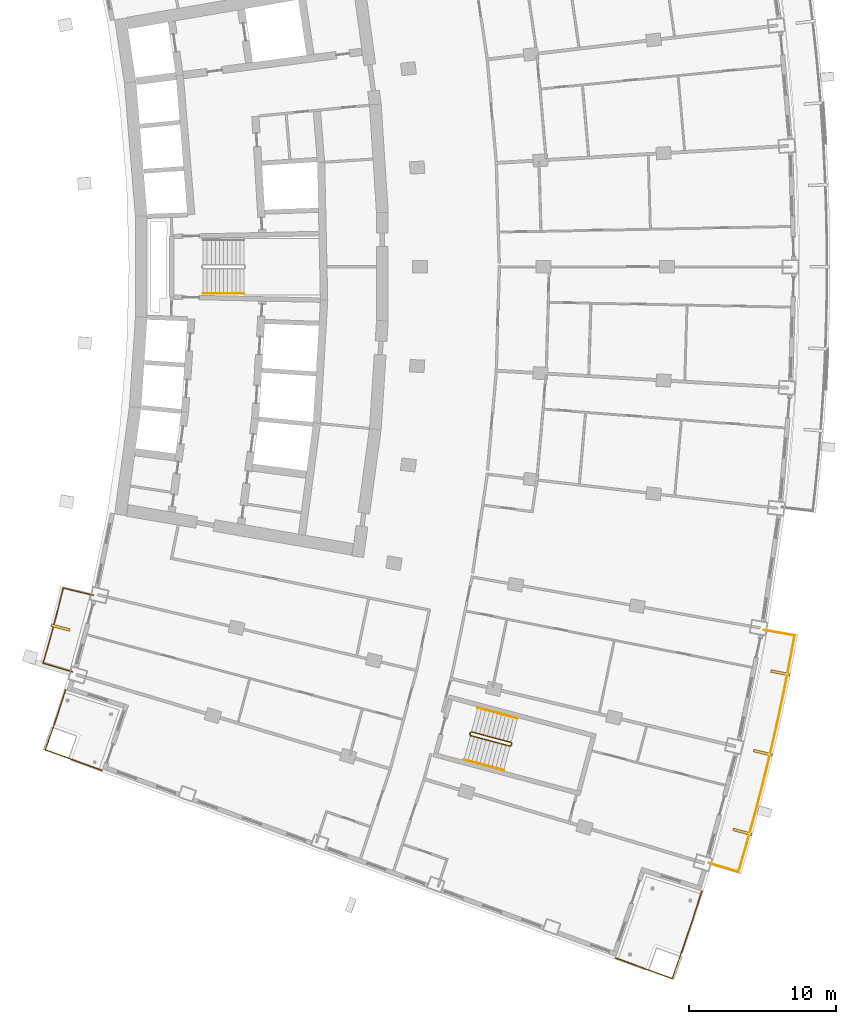
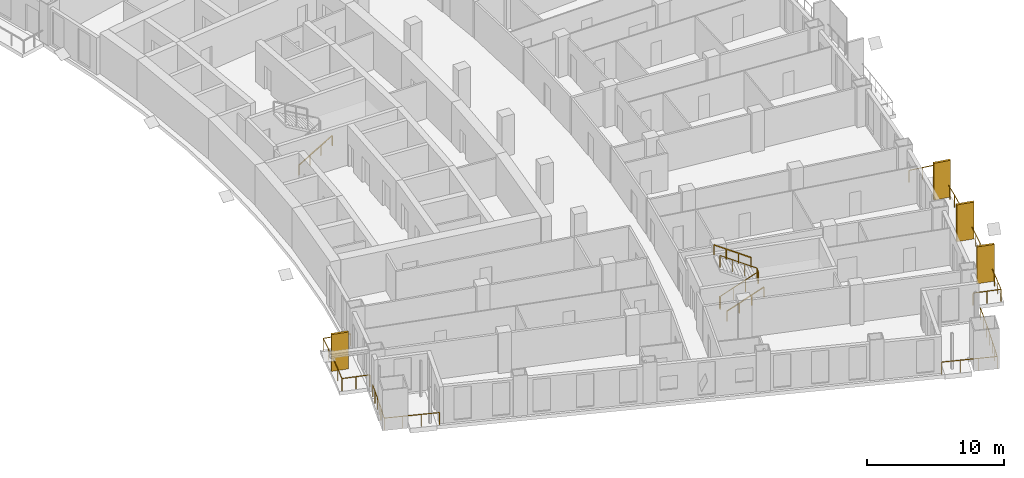
# One storey, part 23 of 25: 8 railings, 4 shading devices.
"""IFC4 building model written with IfcOpenShell, lengths in metres."""

import ifcopenshell
import ifcopenshell.guid

model = None  # the IFC model being written
_history = None  # IfcOwnerHistory: only IFC2X3 demands one
_inside = {}  # id of a spatial element -> (the spatial element, [elements in it])
_under = {}  # id of a project, library or spatial element -> (it, [spatial elements below it])
_declared = {}  # id of a project -> (the project, [libraries it declares])
_typed = {}  # id of a type object -> (the type object, [elements of that type])
_made_of = {}  # id of a material, layer set ... -> (it, [elements and type objects made of it])


def new_model(schema):
    """Start an empty IFC model of exactly this schema.

    Asked for "IFC4X3", IfcOpenShell would pick the latest addendum, in which some entities
    have other attributes; the version numbers below select the first issue.
    IFC2X3 requires an IfcOwnerHistory on every rooted entity: one is made here for all.
    """
    global model, _history
    if schema == "IFC4X3":
        model = ifcopenshell.file(schema_version=(4, 3, 0, 0))
    else:
        model = ifcopenshell.file(schema=schema)
    _inside.clear()
    _under.clear()
    _declared.clear()
    _typed.clear()
    _made_of.clear()
    _history = None
    if model.schema == "IFC2X3":
        org = make("IfcOrganization", Name="unknown")
        user = make(
            "IfcPersonAndOrganization",
            ThePerson=make("IfcPerson", FamilyName="unknown"),
            TheOrganization=org,
        )
        app = make(
            "IfcApplication",
            ApplicationDeveloper=org,
            Version="unknown",
            ApplicationFullName="unknown",
            ApplicationIdentifier="unknown",
        )
        _history = make(
            "IfcOwnerHistory",
            OwningUser=user,
            OwningApplication=app,
            ChangeAction="ADDED",
            CreationDate=0,
        )
    return model


def make(cls, **values):
    """One entity of the class cls with the attributes given. An attribute that is None is left unset."""
    return model.create_entity(
        cls, **{name: value for name, value in values.items() if value is not None}
    )


def rooted(cls, **values):
    """An entity with a GlobalId (a new one), such as an element, a storey or a relation."""
    return make(cls, GlobalId=ifcopenshell.guid.new(), OwnerHistory=_history, **values)


def si_unit(unit_type, name, prefix=None):
    """IfcSIUnit, for example si_unit("LENGTHUNIT", "METRE", prefix="MILLI")."""
    return make("IfcSIUnit", UnitType=unit_type, Prefix=prefix, Name=name)


def assignment(units):
    """IfcUnitAssignment: the units of a project."""
    return None if units is None else make("IfcUnitAssignment", Units=units)


def point(xyz):
    """IfcCartesianPoint."""
    return None if xyz is None else make("IfcCartesianPoint", Coordinates=xyz)


def direction(xyz):
    """IfcDirection."""
    return None if xyz is None else make("IfcDirection", DirectionRatios=xyz)


def frame(location, z_axis=None, x_axis=None):
    """IfcAxis2Placement3D, a coordinate frame: its origin and axes. An axis left out is left unset."""
    return make(
        "IfcAxis2Placement3D",
        Location=point(location),
        Axis=direction(z_axis),
        RefDirection=direction(x_axis),
    )


def frame_2d(location, x_axis=None):
    """IfcAxis2Placement2D, a coordinate frame in the plane: its origin and x axis."""
    return make(
        "IfcAxis2Placement2D", Location=point(location), RefDirection=direction(x_axis)
    )


def origin():
    """The frame at (0, 0, 0) with its axes left unset."""
    return frame((0.0, 0.0, 0.0))


def origin_with_axes():
    """The frame at (0, 0, 0) with the z axis (0, 0, 1) and the x axis (1, 0, 0) written out."""
    return frame((0.0, 0.0, 0.0), z_axis=(0.0, 0.0, 1.0), x_axis=(1.0, 0.0, 0.0))


def origin_2d():
    """The frame at (0, 0) in the plane with its x axis left unset."""
    return frame_2d((0.0, 0.0))


def place(relative_to, where):
    """IfcLocalPlacement: puts the frame where relative to a parent placement (None: the world)."""
    return make(
        "IfcLocalPlacement", PlacementRelTo=relative_to, RelativePlacement=where
    )


def context(
    kind, dimensions, precision=None, world=None, true_north=None, identifier=None
):
    """IfcGeometricRepresentationContext, for example the 3D "Model" context."""
    return make(
        "IfcGeometricRepresentationContext",
        ContextIdentifier=identifier,
        ContextType=kind,
        CoordinateSpaceDimension=dimensions,
        Precision=precision,
        WorldCoordinateSystem=world,
        TrueNorth=true_north,
    )


def subcontext(parent, identifier, kind, view, scale=None):
    """IfcGeometricRepresentationSubContext, for example "Body" below "Model"."""
    return make(
        "IfcGeometricRepresentationSubContext",
        ContextIdentifier=identifier,
        ContextType=kind,
        ParentContext=parent,
        TargetScale=scale,
        TargetView=view,
    )


def project(units=None, contexts=None):
    """IfcProject with its units and contexts."""
    return rooted(
        "IfcProject",
        Name="project",
        RepresentationContexts=contexts,
        UnitsInContext=assignment(units),
    )


def spatial(cls, under=None, at=None, **own):
    """A site, building, storey or space (cls), placed at a placement, below another one or the project."""
    s = rooted(cls, ObjectPlacement=at, **own)
    if under is not None:
        _under.setdefault(under.id(), (under, []))[1].append(s)
    return s


def profile(cls, at=None, kind="AREA", **sizes):
    """A parametric profile (cls). Its sizes go by their IFC names, for example OverallWidth=200.0."""
    return make(cls, ProfileType=kind, Position=at, **sizes)


def rectangle(**sizes):
    """IfcRectangleProfileDef."""
    return profile("IfcRectangleProfileDef", **sizes)


def extrude(swept, where, along, depth):
    """IfcExtrudedAreaSolid: the profile swept, set in the frame where, extruded along a direction by depth."""
    return make(
        "IfcExtrudedAreaSolid",
        SweptArea=swept,
        Position=where,
        ExtrudedDirection=direction(along),
        Depth=depth,
    )


def shape(context_of_items, identifier, shape_type, items):
    """IfcShapeRepresentation: the items that make up one representation, for example the "Body"."""
    return make(
        "IfcShapeRepresentation",
        ContextOfItems=context_of_items,
        RepresentationIdentifier=identifier,
        RepresentationType=shape_type,
        Items=items,
    )


def material(Name=None, Category=None):
    """IfcMaterial."""
    return make("IfcMaterial", Name=Name, Category=Category)


def layer(
    of_material, thickness, ventilated=None, Name=None, Category=None, Priority=None
):
    """IfcMaterialLayer: one layer of a wall or slab, of a material (None: an air gap)."""
    return make(
        "IfcMaterialLayer",
        Material=of_material,
        LayerThickness=thickness,
        IsVentilated=ventilated,
        Name=Name,
        Category=Category,
        Priority=Priority,
    )


def layer_set(layers, Name=None):
    """IfcMaterialLayerSet."""
    return make("IfcMaterialLayerSet", MaterialLayers=layers, LayerSetName=Name)


def made_of(thing, what):
    """Note that an element or type object is made of a material, layer set ...; save() writes the relation."""
    if what is not None:
        _made_of.setdefault(what.id(), (what, []))[1].append(thing)
    return thing


def type_object(cls, material=None, **own):
    """A type object (cls), such as IfcWallType, which elements share."""
    return made_of(rooted(cls, **own), material)


def element(
    cls,
    number,
    at=None,
    inside=None,
    cuts=None,
    type_object=None,
    material=None,
    context=None,
    identifier="Body",
    shape_type=None,
    held_by="IfcProductDefinitionShape",
    body=None,
    shapes=None,
    **own,
):
    """One element of the class cls, such as IfcWall. Its Tag is "e" and its number.

    at: its placement. inside: the storey or other place that contains it. cuts: it is an
    opening in that element (IfcRelVoidsElement). A single representation is given by context,
    identifier, shape_type and body (its items); several are given by shapes. held_by: the class
    of the entity that holds the representations. save() writes the other relations.
    """
    e = rooted(cls, Tag="e%d" % number, ObjectPlacement=at, **own)
    if body is not None:
        shapes = [shape(context, identifier, shape_type, body)]
    if shapes is not None:
        e.Representation = make(held_by, Representations=shapes)
    if inside is not None:
        _inside.setdefault(inside.id(), (inside, []))[1].append(e)
    if cuts is not None:
        rooted(
            "IfcRelVoidsElement", RelatingBuildingElement=cuts, RelatedOpeningElement=e
        )
    if type_object is not None:
        _typed.setdefault(type_object.id(), (type_object, []))[1].append(e)
    return made_of(e, material)


def aggregate(whole, parts):
    """IfcRelAggregates: a whole, such as a stair, and the parts it consists of."""
    return rooted("IfcRelAggregates", RelatingObject=whole, RelatedObjects=parts)


def save(model, path):
    """Write the relations noted so far, then the file.

    IfcRelAggregates (storeys below a building ...), IfcRelContainedInSpatialStructure (elements
    in a storey), IfcRelDefinesByType, IfcRelAssociatesMaterial and IfcRelDeclares: one each for
    every whole, place, type object, material and project.
    """
    for whole, parts in _under.values():
        aggregate(whole, parts)
    for where, things in _inside.values():
        rooted(
            "IfcRelContainedInSpatialStructure",
            RelatedElements=things,
            RelatingStructure=where,
        )
    for kind, things in _typed.values():
        rooted("IfcRelDefinesByType", RelatedObjects=things, RelatingType=kind)
    for what, things in _made_of.values():
        rooted("IfcRelAssociatesMaterial", RelatedObjects=things, RelatingMaterial=what)
    for by, libraries in _declared.values():
        rooted("IfcRelDeclares", RelatingContext=by, RelatedDefinitions=libraries)
    model.write(path)


model = new_model("IFC4")

# Units and contexts
model_context = context("Model", 3, precision=1e-05, world=origin(), true_north=direction((0.0, 1.0)))
body_context = subcontext(model_context, "Body", "Model", "MODEL_VIEW")
ifc_project = project(units=[si_unit("LENGTHUNIT", "METRE"), si_unit("AREAUNIT", "SQUARE_METRE"), si_unit("VOLUMEUNIT", "CUBIC_METRE"), si_unit("PLANEANGLEUNIT", "RADIAN"), si_unit("MASSUNIT", "GRAM", prefix="KILO")], contexts=[model_context])

# Site, building, storey
site_placement = place(None, origin())
site = spatial("IfcSite", under=ifc_project, at=site_placement, CompositionType="ELEMENT")
building_placement = place(site_placement, origin())
building = spatial("IfcBuilding", under=site, at=building_placement, Name="Alderwake Tower", CompositionType="ELEMENT")
storey_placement = place(building_placement, frame((0.0, 0.0, 111.199951171875)))
storey = spatial("IfcBuildingStorey", under=building, at=storey_placement, Name="L27", CompositionType="ELEMENT", Elevation=111.199951171875)

# Railings
ifc_material_1 = material(Name="Stainless steel 316 rail and posts", Category="steel")
railing_type_1 = type_object("IfcRailingType", Name="Balcony guard 1100", PredefinedType="GUARDRAIL", material=ifc_material_1)
railing_1_placement = place(storey_placement, frame((55.456298828125, 20.43505859375, 0.0)))
element("IfcRailing", 1, at=railing_1_placement, inside=storey, type_object=railing_type_1, Name="Guard BF02", PredefinedType="GUARDRAIL", context=body_context, shape_type="SweptSolid", body=[
    extrude(rectangle(XDim=0.048095703125, YDim=0.048095703125, at=origin_2d()), frame((0.0, 0.0, 1.076171875), z_axis=(0.957954179098, -0.286921227429, 0.0), x_axis=(0.286921227429, 0.957954179098, 0.0)), (0.0, 0.0, 1.0), 2.10009765625),
    extrude(rectangle(XDim=0.048095703125, YDim=0.048095703125, at=origin_2d()), frame((2.01171875, -0.6025390625, 1.076171875), z_axis=(0.28031519248, 0.95990801271, 0.0), x_axis=(-0.95990801271, 0.28031519248, 0.0)), (0.0, 0.0, 1.0), 1.99267578125),
    extrude(rectangle(XDim=0.048095703125, YDim=0.048095703125, at=origin_2d()), frame((2.5703125, 1.310302734375, 1.076171875), z_axis=(0.266452319336, 0.963848100854, 0.0), x_axis=(-0.963848100854, 0.266452319336, 0.0)), (0.0, 0.0, 1.0), 2.0927734375),
    extrude(rectangle(XDim=0.048095703125, YDim=0.048095703125, at=origin_2d()), frame((3.1279296875, 3.327392578125, 1.076171875), z_axis=(0.252459890033, 0.967607360413, 0.0), x_axis=(-0.967607360413, 0.252459890033, 0.0)), (0.0, 0.0, 1.0), 2.0927734375),
    extrude(rectangle(XDim=0.048095703125, YDim=0.048095703125, at=origin_2d()), frame((3.65625, 5.352294921875, 1.076171875), z_axis=(0.238360646186, 0.971176710156, 0.0), x_axis=(-0.971176710156, 0.238360646186, 0.0)), (0.0, 0.0, 1.0), 2.092529296875),
    extrude(rectangle(XDim=0.048095703125, YDim=0.048095703125, at=origin_2d()), frame((4.155029296875, 7.384521484375, 1.076171875), z_axis=(0.224101157754, 0.974565888534, 0.0), x_axis=(-0.974565888534, 0.224101157754, 0.0)), (0.0, 0.0, 1.0), 2.0927734375),
    extrude(rectangle(XDim=0.048095703125, YDim=0.048095703125, at=origin_2d()), frame((4.6240234375, 9.424072265625, 1.076171875), z_axis=(0.209871658439, 0.977728943513, 0.0), x_axis=(-0.977728943513, 0.209871658439, 0.0)), (0.0, 0.0, 1.0), 2.0927734375),
    extrude(rectangle(XDim=0.048095703125, YDim=0.048095703125, at=origin_2d()), frame((5.063232421875, 11.47021484375, 1.076171875), z_axis=(0.195644970766, 0.980674790853, 0.0), x_axis=(-0.980674790853, 0.195644970766, 0.0)), (0.0, 0.0, 1.0), 2.0927734375),
    extrude(rectangle(XDim=0.048095703125, YDim=0.048095703125, at=origin_2d()), frame((5.47265625, 13.5224609375, 1.076171875), z_axis=(0.181580290722, 0.983376122357, 0.0), x_axis=(-0.983376122357, 0.181580290722, 0.0)), (0.0, 0.0, 1.0), 1.99267578125),
    extrude(rectangle(XDim=0.048095703125, YDim=0.048095703125, at=origin_2d()), frame((5.83447265625, 15.48193359375, 1.076171875), z_axis=(-0.984594547275, 0.174853016779, 0.0), x_axis=(-0.174853016779, -0.984594547275, 0.0)), (0.0, 0.0, 1.0), 2.10009765625),
    extrude(rectangle(XDim=0.0419921875, YDim=0.0419921875, at=origin_2d()), frame((0.0, 0.0, 0.0), z_axis=(0.0, 0.0, 1.0), x_axis=(0.957954179098, -0.286921227429, 0.0)), (0.0, 0.0, 1.0), 1.052001953125),
    extrude(rectangle(XDim=0.0419921875, YDim=0.0419921875, at=origin_2d()), frame((1.005859375, -0.30126953125, 0.0), z_axis=(0.0, 0.0, 1.0), x_axis=(0.957954179098, -0.286921227429, 0.0)), (0.0, 0.0, 1.0), 1.052001953125),
    extrude(rectangle(XDim=0.0419921875, YDim=0.0419921875, at=origin_2d()), frame((2.01171875, -0.6025390625, 0.0), z_axis=(0.0, 0.0, 1.0), x_axis=(0.28031519248, 0.95990801271, 0.0)), (0.0, 0.0, 1.0), 1.052001953125),
    extrude(rectangle(XDim=0.0419921875, YDim=0.0419921875, at=origin_2d()), frame((2.291015625, 0.35400390625, 0.0), z_axis=(0.0, 0.0, 1.0), x_axis=(0.28031519248, 0.95990801271, 0.0)), (0.0, 0.0, 1.0), 1.052001953125),
    extrude(rectangle(XDim=0.0419921875, YDim=0.0419921875, at=origin_2d()), frame((2.5703125, 1.310302734375, 0.0), z_axis=(0.0, 0.0, 1.0), x_axis=(0.266452319336, 0.963848100854, 0.0)), (0.0, 0.0, 1.0), 1.052001953125),
    extrude(rectangle(XDim=0.0419921875, YDim=0.0419921875, at=origin_2d()), frame((2.84912109375, 2.31884765625, 0.0), z_axis=(0.0, 0.0, 1.0), x_axis=(0.266452319336, 0.963848100854, 0.0)), (0.0, 0.0, 1.0), 1.052001953125),
    extrude(rectangle(XDim=0.0419921875, YDim=0.0419921875, at=origin_2d()), frame((3.1279296875, 3.327392578125, 0.0), z_axis=(0.0, 0.0, 1.0), x_axis=(0.252459890033, 0.967607360413, 0.0)), (0.0, 0.0, 1.0), 1.052001953125),
    extrude(rectangle(XDim=0.0419921875, YDim=0.0419921875, at=origin_2d()), frame((3.39208984375, 4.33984375, 0.0), z_axis=(0.0, 0.0, 1.0), x_axis=(0.252459890033, 0.967607360413, 0.0)), (0.0, 0.0, 1.0), 1.052001953125),
    extrude(rectangle(XDim=0.0419921875, YDim=0.0419921875, at=origin_2d()), frame((3.65625, 5.352294921875, 0.0), z_axis=(0.0, 0.0, 1.0), x_axis=(0.238360646186, 0.971176710156, 0.0)), (0.0, 0.0, 1.0), 1.052001953125),
    extrude(rectangle(XDim=0.0419921875, YDim=0.0419921875, at=origin_2d()), frame((3.90576171875, 6.368408203125, 0.0), z_axis=(0.0, 0.0, 1.0), x_axis=(0.238360646186, 0.971176710156, 0.0)), (0.0, 0.0, 1.0), 1.052001953125),
    extrude(rectangle(XDim=0.0419921875, YDim=0.0419921875, at=origin_2d()), frame((4.155029296875, 7.384521484375, 0.0), z_axis=(0.0, 0.0, 1.0), x_axis=(0.224101157754, 0.974565888534, 0.0)), (0.0, 0.0, 1.0), 1.052001953125),
    extrude(rectangle(XDim=0.0419921875, YDim=0.0419921875, at=origin_2d()), frame((4.3896484375, 8.404296875, 0.0), z_axis=(0.0, 0.0, 1.0), x_axis=(0.224101157754, 0.974565888534, 0.0)), (0.0, 0.0, 1.0), 1.052001953125),
    extrude(rectangle(XDim=0.0419921875, YDim=0.0419921875, at=origin_2d()), frame((4.6240234375, 9.424072265625, 0.0), z_axis=(0.0, 0.0, 1.0), x_axis=(0.209871658439, 0.977728943513, 0.0)), (0.0, 0.0, 1.0), 1.052001953125),
    extrude(rectangle(XDim=0.0419921875, YDim=0.0419921875, at=origin_2d()), frame((4.84375, 10.447265625, 0.0), z_axis=(0.0, 0.0, 1.0), x_axis=(0.209871658439, 0.977728943513, 0.0)), (0.0, 0.0, 1.0), 1.052001953125),
    extrude(rectangle(XDim=0.0419921875, YDim=0.0419921875, at=origin_2d()), frame((5.063232421875, 11.47021484375, 0.0), z_axis=(0.0, 0.0, 1.0), x_axis=(0.195644970766, 0.980674790853, 0.0)), (0.0, 0.0, 1.0), 1.052001953125),
    extrude(rectangle(XDim=0.0419921875, YDim=0.0419921875, at=origin_2d()), frame((5.26806640625, 12.496337890625, 0.0), z_axis=(0.0, 0.0, 1.0), x_axis=(0.195644970766, 0.980674790853, 0.0)), (0.0, 0.0, 1.0), 1.052001953125),
    extrude(rectangle(XDim=0.0419921875, YDim=0.0419921875, at=origin_2d()), frame((5.47265625, 13.5224609375, 0.0), z_axis=(0.0, 0.0, 1.0), x_axis=(0.181580290722, 0.983376122357, 0.0)), (0.0, 0.0, 1.0), 1.052001953125),
    extrude(rectangle(XDim=0.0419921875, YDim=0.0419921875, at=origin_2d()), frame((5.653564453125, 14.502197265625, 0.0), z_axis=(0.0, 0.0, 1.0), x_axis=(0.181580290722, 0.983376122357, 0.0)), (0.0, 0.0, 1.0), 1.052001953125),
    extrude(rectangle(XDim=0.0419921875, YDim=0.0419921875, at=origin_2d()), frame((5.83447265625, 15.48193359375, 0.0), z_axis=(0.0, 0.0, 1.0), x_axis=(-0.984594547275, 0.174853016779, 0.0)), (0.0, 0.0, 1.0), 1.052001953125),
    extrude(rectangle(XDim=0.0419921875, YDim=0.0419921875, at=origin_2d()), frame((4.80078125, 15.66552734375, 0.0), z_axis=(0.0, 0.0, 1.0), x_axis=(-0.984594547275, 0.174853016779, 0.0)), (0.0, 0.0, 1.0), 1.052001953125),
    extrude(rectangle(XDim=0.0419921875, YDim=0.0419921875, at=origin_2d()), frame((3.766845703125, 15.84912109375, 0.0), z_axis=(0.0, 0.0, 1.0), x_axis=(-0.984594547275, 0.174853016779, 0.0)), (0.0, 0.0, 1.0), 1.052001953125),
])
railing_2_placement = place(storey_placement, frame((12.16650390625, 33.435791015625, 0.0)))
element("IfcRailing", 2, at=railing_2_placement, inside=storey, type_object=railing_type_1, Name="Guard BR02", PredefinedType="GUARDRAIL", context=body_context, shape_type="SweptSolid", body=[
    extrude(rectangle(XDim=0.048095703125, YDim=0.048095703125, at=origin_2d()), frame((0.0, 0.0, 1.076171875), z_axis=(-0.958091458885, 0.286462486918, 0.0), x_axis=(-0.286462486918, -0.958091458885, 0.0)), (0.0, 0.0, 1.0), 2.099853515625),
    extrude(rectangle(XDim=0.048095703125, YDim=0.048095703125, at=origin_2d()), frame((-2.011962890625, 0.6015625, 1.076171875), z_axis=(0.279963157487, 0.960010744966, 0.0), x_axis=(-0.960010744966, 0.279963157487, 0.0)), (0.0, 0.0, 1.0), 1.272216796875),
    extrude(rectangle(XDim=0.048095703125, YDim=0.048095703125, at=origin_2d()), frame((-1.65576171875, 1.822998046875, 1.076171875), z_axis=(0.266487604617, 0.963838345671, 0.0), x_axis=(-0.963838345671, 0.266487604617, 0.0)), (0.0, 0.0, 1.0), 1.372314453125),
    extrude(rectangle(XDim=0.048095703125, YDim=0.048095703125, at=origin_2d()), frame((-1.2900390625, 3.145751953125, 1.076171875), z_axis=(0.252487086228, 0.967600264204, 0.0), x_axis=(-0.967600264204, 0.252487086228, 0.0)), (0.0, 0.0, 1.0), 1.3720703125),
    extrude(rectangle(XDim=0.048095703125, YDim=0.048095703125, at=origin_2d()), frame((-0.943603515625, 4.473388671875, 1.076171875), z_axis=(0.238877101641, 0.971049808358, 0.0), x_axis=(-0.971049808358, 0.238877101641, 0.0)), (0.0, 0.0, 1.0), 1.2724609375),
    extrude(rectangle(XDim=0.048095703125, YDim=0.048095703125, at=origin_2d()), frame((-0.6396484375, 5.708984375, 1.076171875), z_axis=(0.972646310656, -0.232291098337, 0.0), x_axis=(0.232291098337, 0.972646310656, 0.0)), (0.0, 0.0, 1.0), 2.099853515625),
    extrude(rectangle(XDim=0.0419921875, YDim=0.0419921875, at=origin_2d()), frame((0.0, 0.0, 0.0), z_axis=(0.0, 0.0, 1.0), x_axis=(-0.958091458885, 0.286462486918, 0.0)), (0.0, 0.0, 1.0), 1.052001953125),
    extrude(rectangle(XDim=0.0419921875, YDim=0.0419921875, at=origin_2d()), frame((-1.005859375, 0.30078125, 0.0), z_axis=(0.0, 0.0, 1.0), x_axis=(-0.958091458885, 0.286462486918, 0.0)), (0.0, 0.0, 1.0), 1.052001953125),
    extrude(rectangle(XDim=0.0419921875, YDim=0.0419921875, at=origin_2d()), frame((-2.011962890625, 0.6015625, 0.0), z_axis=(0.0, 0.0, 1.0), x_axis=(0.279963157487, 0.960010744966, 0.0)), (0.0, 0.0, 1.0), 1.052001953125),
    extrude(rectangle(XDim=0.0419921875, YDim=0.0419921875, at=origin_2d()), frame((-1.65576171875, 1.822998046875, 0.0), z_axis=(0.0, 0.0, 1.0), x_axis=(0.266487604617, 0.963838345671, 0.0)), (0.0, 0.0, 1.0), 1.052001953125),
    extrude(rectangle(XDim=0.0419921875, YDim=0.0419921875, at=origin_2d()), frame((-1.2900390625, 3.145751953125, 0.0), z_axis=(0.0, 0.0, 1.0), x_axis=(0.252487086228, 0.967600264204, 0.0)), (0.0, 0.0, 1.0), 1.052001953125),
    extrude(rectangle(XDim=0.0419921875, YDim=0.0419921875, at=origin_2d()), frame((-0.943603515625, 4.473388671875, 0.0), z_axis=(0.0, 0.0, 1.0), x_axis=(0.238877101641, 0.971049808358, 0.0)), (0.0, 0.0, 1.0), 1.052001953125),
    extrude(rectangle(XDim=0.0419921875, YDim=0.0419921875, at=origin_2d()), frame((-0.6396484375, 5.708984375, 0.0), z_axis=(0.0, 0.0, 1.0), x_axis=(0.972646310656, -0.232291098337, 0.0)), (0.0, 0.0, 1.0), 1.052001953125),
    extrude(rectangle(XDim=0.0419921875, YDim=0.0419921875, at=origin_2d()), frame((0.381591796875, 5.465087890625, 0.0), z_axis=(0.0, 0.0, 1.0), x_axis=(0.972646310656, -0.232291098337, 0.0)), (0.0, 0.0, 1.0), 1.052001953125),
    extrude(rectangle(XDim=0.0419921875, YDim=0.0419921875, at=origin_2d()), frame((1.40283203125, 5.22119140625, 0.0), z_axis=(0.0, 0.0, 1.0), x_axis=(0.972646310656, -0.232291098337, 0.0)), (0.0, 0.0, 1.0), 1.052001953125),
])
railing_3_placement = place(storey_placement, frame((54.976318359375, 18.530517578125, 0.0)))
element("IfcRailing", 3, at=railing_3_placement, inside=storey, type_object=railing_type_1, Name="Guard terrace FS", PredefinedType="GUARDRAIL", context=body_context, shape_type="SweptSolid", body=[
    extrude(rectangle(XDim=0.048095703125, YDim=0.048095703125, at=origin_2d()), frame((0.0, 0.0, 1.076171875), z_axis=(-0.307736999778, -0.951471459881, 0.0), x_axis=(0.951471459881, -0.307736999778, 0.0)), (0.0, 0.0, 1.0), 2.263427734375),
    extrude(rectangle(XDim=0.048095703125, YDim=0.048095703125, at=origin_2d()), frame((-0.696533203125, -2.153564453125, 1.076171875), z_axis=(-0.322290868596, -0.946640690029, 0.0), x_axis=(0.946640690029, -0.322290868596, 0.0)), (0.0, 0.0, 1.0), 2.0634765625),
    extrude(rectangle(XDim=0.048095703125, YDim=0.048095703125, at=origin_2d()), frame((-1.361572265625, -4.10693359375, 1.076171875), z_axis=(-0.335706204484, -0.941966742656, 0.0), x_axis=(0.941966742656, -0.335706204484, 0.0)), (0.0, 0.0, 1.0), 1.963623046875),
    extrude(rectangle(XDim=0.048095703125, YDim=0.048095703125, at=origin_2d()), frame((-2.020751953125, -5.95654296875, 1.076171875), z_axis=(-0.939624669849, 0.342206779317, 0.0), x_axis=(-0.342206779317, -0.939624669849, 0.0)), (0.0, 0.0, 1.0), 4.10009765625),
    extrude(rectangle(XDim=0.0419921875, YDim=0.0419921875, at=origin_2d()), frame((0.0, 0.0, 0.0), z_axis=(0.0, 0.0, 1.0), x_axis=(-0.307736999778, -0.951471459881, 0.0)), (0.0, 0.0, 1.0), 1.052001953125),
    extrude(rectangle(XDim=0.0419921875, YDim=0.0419921875, at=origin_2d()), frame((-0.34814453125, -1.07666015625, 0.0), z_axis=(0.0, 0.0, 1.0), x_axis=(-0.307736999778, -0.951471459881, 0.0)), (0.0, 0.0, 1.0), 1.052001953125),
    extrude(rectangle(XDim=0.0419921875, YDim=0.0419921875, at=origin_2d()), frame((-0.696533203125, -2.153564453125, 0.0), z_axis=(0.0, 0.0, 1.0), x_axis=(-0.322290868596, -0.946640690029, 0.0)), (0.0, 0.0, 1.0), 1.052001953125),
    extrude(rectangle(XDim=0.0419921875, YDim=0.0419921875, at=origin_2d()), frame((-1.029052734375, -3.13037109375, 0.0), z_axis=(0.0, 0.0, 1.0), x_axis=(-0.322290868596, -0.946640690029, 0.0)), (0.0, 0.0, 1.0), 1.052001953125),
    extrude(rectangle(XDim=0.0419921875, YDim=0.0419921875, at=origin_2d()), frame((-1.361572265625, -4.10693359375, 0.0), z_axis=(0.0, 0.0, 1.0), x_axis=(-0.335706204484, -0.941966742656, 0.0)), (0.0, 0.0, 1.0), 1.052001953125),
    extrude(rectangle(XDim=0.0419921875, YDim=0.0419921875, at=origin_2d()), frame((-1.691162109375, -5.03173828125, 0.0), z_axis=(0.0, 0.0, 1.0), x_axis=(-0.335706204484, -0.941966742656, 0.0)), (0.0, 0.0, 1.0), 1.052001953125),
    extrude(rectangle(XDim=0.0419921875, YDim=0.0419921875, at=origin_2d()), frame((-2.020751953125, -5.95654296875, 0.0), z_axis=(0.0, 0.0, 1.0), x_axis=(-0.939624669849, 0.342206779317, 0.0)), (0.0, 0.0, 1.0), 1.052001953125),
    extrude(rectangle(XDim=0.0419921875, YDim=0.0419921875, at=origin_2d()), frame((-3.304931640625, -5.48876953125, 0.0), z_axis=(0.0, 0.0, 1.0), x_axis=(-0.939624669849, 0.342206779317, 0.0)), (0.0, 0.0, 1.0), 1.052001953125),
    extrude(rectangle(XDim=0.0419921875, YDim=0.0419921875, at=origin_2d()), frame((-4.589111328125, -5.021240234375, 0.0), z_axis=(0.0, 0.0, 1.0), x_axis=(-0.939624669849, 0.342206779317, 0.0)), (0.0, 0.0, 1.0), 1.052001953125),
    extrude(rectangle(XDim=0.0419921875, YDim=0.0419921875, at=origin_2d()), frame((-5.873291015625, -4.553466796875, 0.0), z_axis=(0.0, 0.0, 1.0), x_axis=(-0.939624669849, 0.342206779317, 0.0)), (0.0, 0.0, 1.0), 1.052001953125),
])
railing_4_placement = place(storey_placement, frame((11.688720703125, 32.218017578125, 0.0)))
element("IfcRailing", 4, at=railing_4_placement, inside=storey, type_object=railing_type_1, Name="Guard terrace RS", PredefinedType="GUARDRAIL", context=body_context, shape_type="SweptSolid", body=[
    extrude(rectangle(XDim=0.048095703125, YDim=0.048095703125, at=origin_2d()), frame((0.0, 0.0, 1.076171875), z_axis=(-0.307479326145, -0.951554761426, 0.0), x_axis=(0.951554761426, -0.307479326145, 0.0)), (0.0, 0.0, 1.0), 1.6015625),
    extrude(rectangle(XDim=0.048095703125, YDim=0.048095703125, at=origin_2d()), frame((-0.492431640625, -1.52392578125, 1.076171875), z_axis=(-0.322283727344, -0.946643121292, 0.0), x_axis=(0.946643121292, -0.322283727344, 0.0)), (0.0, 0.0, 1.0), 1.4013671875),
    extrude(rectangle(XDim=0.048095703125, YDim=0.048095703125, at=origin_2d()), frame((-0.944091796875, -2.8505859375, 1.076171875), z_axis=(-0.335468607403, -0.942051385778, 0.0), x_axis=(0.942051385778, -0.335468607403, 0.0)), (0.0, 0.0, 1.0), 1.30126953125),
    extrude(rectangle(XDim=0.048095703125, YDim=0.048095703125, at=origin_2d()), frame((-1.380615234375, -4.076416015625, 1.076171875), z_axis=(0.939708203232, -0.341977327873, 0.0), x_axis=(0.341977327873, 0.939708203232, 0.0)), (0.0, 0.0, 1.0), 4.10009765625),
    extrude(rectangle(XDim=0.0419921875, YDim=0.0419921875, at=origin_2d()), frame((0.0, 0.0, 0.0), z_axis=(0.0, 0.0, 1.0), x_axis=(-0.307479326145, -0.951554761426, 0.0)), (0.0, 0.0, 1.0), 1.052001953125),
    extrude(rectangle(XDim=0.0419921875, YDim=0.0419921875, at=origin_2d()), frame((-0.24609375, -0.761962890625, 0.0), z_axis=(0.0, 0.0, 1.0), x_axis=(-0.307479326145, -0.951554761426, 0.0)), (0.0, 0.0, 1.0), 1.052001953125),
    extrude(rectangle(XDim=0.0419921875, YDim=0.0419921875, at=origin_2d()), frame((-0.492431640625, -1.52392578125, 0.0), z_axis=(0.0, 0.0, 1.0), x_axis=(-0.322283727344, -0.946643121292, 0.0)), (0.0, 0.0, 1.0), 1.052001953125),
    extrude(rectangle(XDim=0.0419921875, YDim=0.0419921875, at=origin_2d()), frame((-0.71826171875, -2.187255859375, 0.0), z_axis=(0.0, 0.0, 1.0), x_axis=(-0.322283727344, -0.946643121292, 0.0)), (0.0, 0.0, 1.0), 1.052001953125),
    extrude(rectangle(XDim=0.0419921875, YDim=0.0419921875, at=origin_2d()), frame((-0.944091796875, -2.8505859375, 0.0), z_axis=(0.0, 0.0, 1.0), x_axis=(-0.335468607403, -0.942051385778, 0.0)), (0.0, 0.0, 1.0), 1.052001953125),
    extrude(rectangle(XDim=0.0419921875, YDim=0.0419921875, at=origin_2d()), frame((-1.380615234375, -4.076416015625, 0.0), z_axis=(0.0, 0.0, 1.0), x_axis=(0.939708203232, -0.341977327873, 0.0)), (0.0, 0.0, 1.0), 1.052001953125),
    extrude(rectangle(XDim=0.0419921875, YDim=0.0419921875, at=origin_2d()), frame((-0.096435546875, -4.543701171875, 0.0), z_axis=(0.0, 0.0, 1.0), x_axis=(0.939708203232, -0.341977327873, 0.0)), (0.0, 0.0, 1.0), 1.052001953125),
    extrude(rectangle(XDim=0.0419921875, YDim=0.0419921875, at=origin_2d()), frame((1.18798828125, -5.01123046875, 0.0), z_axis=(0.0, 0.0, 1.0), x_axis=(0.939708203232, -0.341977327873, 0.0)), (0.0, 0.0, 1.0), 1.052001953125),
    extrude(rectangle(XDim=0.0419921875, YDim=0.0419921875, at=origin_2d()), frame((2.47216796875, -5.478515625, 0.0), z_axis=(0.0, 0.0, 1.0), x_axis=(0.939708203232, -0.341977327873, 0.0)), (0.0, 0.0, 1.0), 1.052001953125),
])

# Shading devices
ifc_material_2 = material(Name="Bronze anodised aluminium", Category="aluminium")
ifc_layer = layer(ifc_material_2, 0.179931640625)
ifc_layer_set = layer_set([ifc_layer], Name="Facade fin 1300")
shading_device_type = type_object("IfcShadingDeviceType", Name="Facade fin 1300", PredefinedType="USERDEFINED", material=ifc_layer_set)
for number, where, z_axis, x_axis, name in (
    (5, (57.735107421875, 22.55419921875, 0.0), (0.0, 0.0, 1.0), (0.96318180783, -0.268850897459, 0.0), "Fin"),
    (6, (59.1259765625, 27.93994140625, 0.0), (0.0, 0.0, 1.0), (0.972908790564, -0.231189284448, 0.0), "Fin"),
    (7, (60.306396484375, 33.37548828125, 0.0), (0.0, 0.0, 1.0), (0.981163751315, -0.193177879441, 0.0), "Fin"),
    (8, (11.359375, 36.45166015625, 0.0), (0.0, 0.0, 1.0), (0.965744448231, -0.259495010957, 0.0), "Fin"),
):
    element("IfcShadingDevice", number, at=place(storey_placement, frame(where, z_axis=z_axis, x_axis=x_axis)), inside=storey, type_object=shading_device_type, Name=name, ObjectType="FIN", PredefinedType="USERDEFINED", context=body_context, shape_type="SweptSolid", body=[
        extrude(rectangle(XDim=1.300048828125, YDim=0.179931640625, at=origin_2d()), origin(), (0.0, 0.0, 1.0), 3.280029296875),
    ])

# Railings
ifc_material_3 = material(Name="Stainless steel guard", Category="steel")
railing_type_2 = type_object("IfcRailingType", Name="Stair guard 1100", PredefinedType="GUARDRAIL", material=ifc_material_3)
railing_5_placement = place(storey_placement, frame((39.1943359375, 29.17431640625, 0.0)))
element("IfcRailing", 9, at=railing_5_placement, inside=storey, type_object=railing_type_2, Name="L27 ST-C stair guard 1", PredefinedType="GUARDRAIL", context=body_context, shape_type="SweptSolid", body=[
    extrude(rectangle(XDim=0.048095703125, YDim=0.048095703125, at=origin_2d()), frame((0.0, 0.0, 1.076171875), z_axis=(0.257459803502, 0.966289009345, 0.0), x_axis=(-0.966289009345, 0.257459803502, 0.0)), (0.0, 0.0, 1.0), 0.14990234375),
    extrude(rectangle(XDim=0.048095703125, YDim=0.048095703125, at=origin_2d()), frame((0.03857421875, 0.144775390625, 1.076171875), z_axis=(-0.012062893862, -0.783160186125, 0.621702991355), x_axis=(0.999881397308, -0.015401016783, 0.0)), (0.0, 0.0, 1.0), 0.26318359375),
    extrude(rectangle(XDim=0.048095703125, YDim=0.048095703125, at=origin_2d()), frame((0.035400390625, -0.061279296875, 1.23974609375), z_axis=(0.834281824786, -0.222214197128, 0.504573768072), x_axis=(0.257380452725, 0.966310148221, 0.0)), (0.0, 0.0, 1.0), 3.2431640625),
    extrude(rectangle(XDim=0.048095703125, YDim=0.048095703125, at=origin_2d()), frame((2.7412109375, -0.781982421875, 2.8759765625), z_axis=(0.865031189262, 0.501718089772, 0.0), x_axis=(-0.501718089772, 0.865031189262, 0.0)), (0.0, 0.0, 1.0), 0.070556640625),
    extrude(rectangle(XDim=0.048095703125, YDim=0.048095703125, at=origin_2d()), frame((2.80224609375, -0.74658203125, 2.8759765625), z_axis=(0.257055032184, 0.966396766566, 0.0), x_axis=(-0.966396766566, 0.257055032184, 0.0)), (0.0, 0.0, 1.0), 0.150146484375),
    extrude(rectangle(XDim=0.048095703125, YDim=0.048095703125, at=origin_2d()), frame((2.8408203125, -0.6015625, 2.8759765625), z_axis=(-0.198625291617, 0.343827228937, 0.91778583023), x_axis=(-0.865898279276, -0.500220121494, 0.0)), (0.0, 0.0, 1.0), 0.17822265625),
    extrude(rectangle(XDim=0.048095703125, YDim=0.048095703125, at=origin_2d()), frame((2.805419921875, -0.540283203125, 3.03955078125), z_axis=(-0.834258940753, 0.22222815314, 0.504605457487), x_axis=(-0.257402139082, -0.966304371715, 0.0)), (0.0, 0.0, 1.0), 3.2431640625),
    extrude(rectangle(XDim=0.0419921875, YDim=0.0419921875, at=origin_2d()), frame((0.0, 0.0, 0.0), z_axis=(0.0, 0.0, 1.0), x_axis=(0.257459803502, 0.966289009345, 0.0)), (0.0, 0.0, 1.0), 1.052001953125),
    extrude(rectangle(XDim=0.0419921875, YDim=0.0419921875, at=origin_2d()), frame((0.03857421875, 0.144775390625, 0.0), z_axis=(0.0, 0.0, 1.0), x_axis=(-0.015401016783, -0.999881397308, 0.0)), (0.0, 0.0, 1.0), 1.052001953125),
    extrude(rectangle(XDim=0.0419921875, YDim=0.0419921875, at=origin_2d()), frame((0.035400390625, -0.061279296875, 0.16357421875), z_axis=(0.0, 0.0, 1.0), x_axis=(0.966310148221, -0.257380452725, 0.0)), (0.0, 0.0, 1.0), 1.052001953125),
    extrude(rectangle(XDim=0.0419921875, YDim=0.0419921875, at=origin_2d()), frame((0.937255859375, -0.301513671875, 0.708984375), z_axis=(0.0, 0.0, 1.0), x_axis=(0.966310148221, -0.257380452725, 0.0)), (0.0, 0.0, 1.0), 1.052001953125),
    extrude(rectangle(XDim=0.0419921875, YDim=0.0419921875, at=origin_2d()), frame((1.83935546875, -0.541748046875, 1.254638671875), z_axis=(0.0, 0.0, 1.0), x_axis=(0.966310148221, -0.257380452725, 0.0)), (0.0, 0.0, 1.0), 1.052001953125),
    extrude(rectangle(XDim=0.0419921875, YDim=0.0419921875, at=origin_2d()), frame((2.7412109375, -0.781982421875, 1.800048828125), z_axis=(0.0, 0.0, 1.0), x_axis=(0.865031189262, 0.501718089772, 0.0)), (0.0, 0.0, 1.0), 1.052001953125),
    extrude(rectangle(XDim=0.0419921875, YDim=0.0419921875, at=origin_2d()), frame((2.80224609375, -0.74658203125, 1.800048828125), z_axis=(0.0, 0.0, 1.0), x_axis=(0.257055032184, 0.966396766566, 0.0)), (0.0, 0.0, 1.0), 1.052001953125),
    extrude(rectangle(XDim=0.0419921875, YDim=0.0419921875, at=origin_2d()), frame((2.8408203125, -0.6015625, 1.800048828125), z_axis=(0.0, 0.0, 1.0), x_axis=(-0.500220121494, 0.865898279276, 0.0)), (0.0, 0.0, 1.0), 1.052001953125),
    extrude(rectangle(XDim=0.0419921875, YDim=0.0419921875, at=origin_2d()), frame((2.805419921875, -0.540283203125, 1.963623046875), z_axis=(0.0, 0.0, 1.0), x_axis=(-0.966304371715, 0.257402139082, 0.0)), (0.0, 0.0, 1.0), 1.052001953125),
    extrude(rectangle(XDim=0.0419921875, YDim=0.0419921875, at=origin_2d()), frame((1.903564453125, -0.300048828125, 2.509033203125), z_axis=(0.0, 0.0, 1.0), x_axis=(-0.966304371715, 0.257402139082, 0.0)), (0.0, 0.0, 1.0), 1.052001953125),
    extrude(rectangle(XDim=0.0419921875, YDim=0.0419921875, at=origin_2d()), frame((1.001708984375, -0.059814453125, 3.0546875), z_axis=(0.0, 0.0, 1.0), x_axis=(-0.966304371715, 0.257402139082, 0.0)), (0.0, 0.0, 1.0), 1.052001953125),
    extrude(rectangle(XDim=0.0419921875, YDim=0.0419921875, at=origin_2d()), frame((0.099853515625, 0.180419921875, 3.60009765625), z_axis=(0.0, 0.0, 1.0), x_axis=(-0.966304371715, 0.257402139082, 0.0)), (0.0, 0.0, 1.0), 1.052001953125),
])
ifc_material_4 = material(Name="Stainless steel handrail", Category="steel")
railing_type_3 = type_object("IfcRailingType", Name="Stair handrail 900", PredefinedType="HANDRAIL", material=ifc_material_4)
railing_6_placement = place(storey_placement, frame((21.0400390625, 59.175048828125, 0.16357421875)))
element("IfcRailing", 10, at=railing_6_placement, inside=storey, type_object=railing_type_3, Name="L27 ST-B stair handrail 1", PredefinedType="HANDRAIL", context=body_context, shape_type="SweptSolid", body=[
    extrude(rectangle(XDim=0.048095703125, YDim=0.048095703125, at=origin_2d()), frame((0.0, 0.0, 0.8759765625), z_axis=(0.863360870873, 0.0, 0.504586966384), x_axis=(0.0, 1.0, 0.0)), (0.0, 0.0, 1.0), 3.2431640625),
    extrude(rectangle(XDim=0.0419921875, YDim=0.0419921875, at=origin_2d()), origin_with_axes(), (0.0, 0.0, 1.0), 0.851806640625),
    extrude(rectangle(XDim=0.0419921875, YDim=0.0419921875, at=origin_2d()), frame((0.933349609375, 0.0, 0.54541015625), z_axis=(0.0, 0.0, 1.0), x_axis=(1.0, 0.0, 0.0)), (0.0, 0.0, 1.0), 0.851806640625),
    extrude(rectangle(XDim=0.0419921875, YDim=0.0419921875, at=origin_2d()), frame((1.86669921875, 0.0, 1.091064453125), z_axis=(0.0, 0.0, 1.0), x_axis=(1.0, 0.0, 0.0)), (0.0, 0.0, 1.0), 0.851806640625),
    extrude(rectangle(XDim=0.0419921875, YDim=0.0419921875, at=origin_2d()), frame((2.800048828125, 0.0, 1.636474609375), z_axis=(0.0, 0.0, 1.0), x_axis=(1.0, 0.0, 0.0)), (0.0, 0.0, 1.0), 0.851806640625),
])
railing_7_placement = place(storey_placement, frame((38.792236328125, 27.47021484375, 0.16357421875)))
element("IfcRailing", 11, at=railing_7_placement, inside=storey, type_object=railing_type_3, Name="L27 ST-C stair handrail 1", PredefinedType="HANDRAIL", context=body_context, shape_type="SweptSolid", body=[
    extrude(rectangle(XDim=0.048095703125, YDim=0.048095703125, at=origin_2d()), frame((0.0, 0.0, 0.8759765625), z_axis=(0.834272895437, -0.222156588561, 0.504613898043), x_axis=(0.25732071773, 0.966326056891, 0.0)), (0.0, 0.0, 1.0), 3.242919921875),
    extrude(rectangle(XDim=0.0419921875, YDim=0.0419921875, at=origin_2d()), frame((0.0, 0.0, 0.0), z_axis=(0.0, 0.0, 1.0), x_axis=(0.966326056891, -0.25732071773, 0.0)), (0.0, 0.0, 1.0), 0.851806640625),
    extrude(rectangle(XDim=0.0419921875, YDim=0.0419921875, at=origin_2d()), frame((0.90185546875, -0.240234375, 0.54541015625), z_axis=(0.0, 0.0, 1.0), x_axis=(0.966326056891, -0.25732071773, 0.0)), (0.0, 0.0, 1.0), 0.851806640625),
    extrude(rectangle(XDim=0.0419921875, YDim=0.0419921875, at=origin_2d()), frame((1.8037109375, -0.480224609375, 1.091064453125), z_axis=(0.0, 0.0, 1.0), x_axis=(0.966326056891, -0.25732071773, 0.0)), (0.0, 0.0, 1.0), 0.851806640625),
    extrude(rectangle(XDim=0.0419921875, YDim=0.0419921875, at=origin_2d()), frame((2.70556640625, -0.720458984375, 1.636474609375), z_axis=(0.0, 0.0, 1.0), x_axis=(0.966326056891, -0.25732071773, 0.0)), (0.0, 0.0, 1.0), 0.851806640625),
])
railing_8_placement = place(storey_placement, frame((42.437255859375, 30.276611328125, 1.963623046875)))
element("IfcRailing", 12, at=railing_8_placement, inside=storey, type_object=railing_type_3, Name="L27 ST-C stair handrail 2", PredefinedType="HANDRAIL", context=body_context, shape_type="SweptSolid", body=[
    extrude(rectangle(XDim=0.048095703125, YDim=0.048095703125, at=origin_2d()), frame((0.0, 0.0, 0.8759765625), z_axis=(-0.834258940753, 0.22222815314, 0.504605457487), x_axis=(-0.257402139082, -0.966304371715, 0.0)), (0.0, 0.0, 1.0), 3.2431640625),
    extrude(rectangle(XDim=0.0419921875, YDim=0.0419921875, at=origin_2d()), frame((0.0, 0.0, 0.0), z_axis=(0.0, 0.0, 1.0), x_axis=(-0.966304371715, 0.257402139082, 0.0)), (0.0, 0.0, 1.0), 0.851806640625),
    extrude(rectangle(XDim=0.0419921875, YDim=0.0419921875, at=origin_2d()), frame((-0.90185546875, 0.240234375, 0.54541015625), z_axis=(0.0, 0.0, 1.0), x_axis=(-0.966304371715, 0.257402139082, 0.0)), (0.0, 0.0, 1.0), 0.851806640625),
    extrude(rectangle(XDim=0.0419921875, YDim=0.0419921875, at=origin_2d()), frame((-1.8037109375, 0.48046875, 1.091064453125), z_axis=(0.0, 0.0, 1.0), x_axis=(-0.966304371715, 0.257402139082, 0.0)), (0.0, 0.0, 1.0), 0.851806640625),
    extrude(rectangle(XDim=0.0419921875, YDim=0.0419921875, at=origin_2d()), frame((-2.70556640625, 0.720703125, 1.636474609375), z_axis=(0.0, 0.0, 1.0), x_axis=(-0.966304371715, 0.257402139082, 0.0)), (0.0, 0.0, 1.0), 0.851806640625),
])

save(model, "model.ifc")
